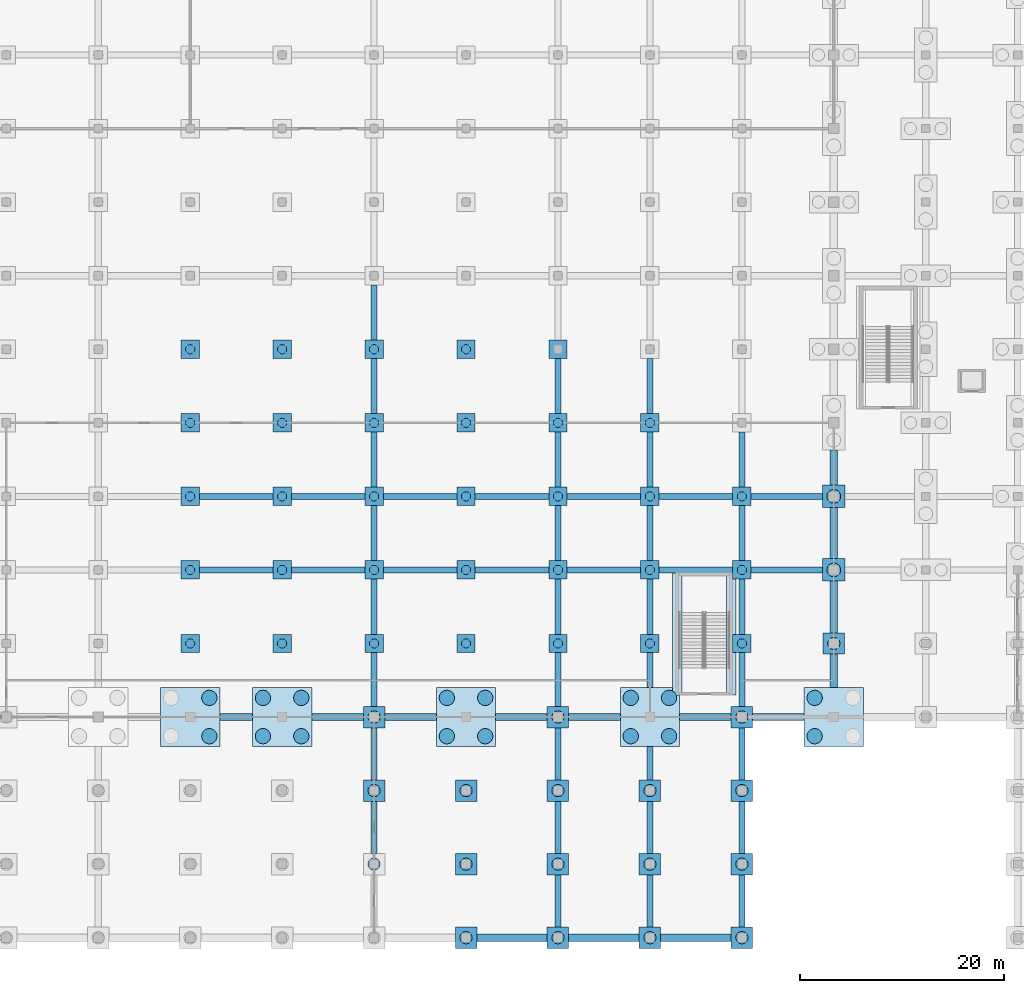
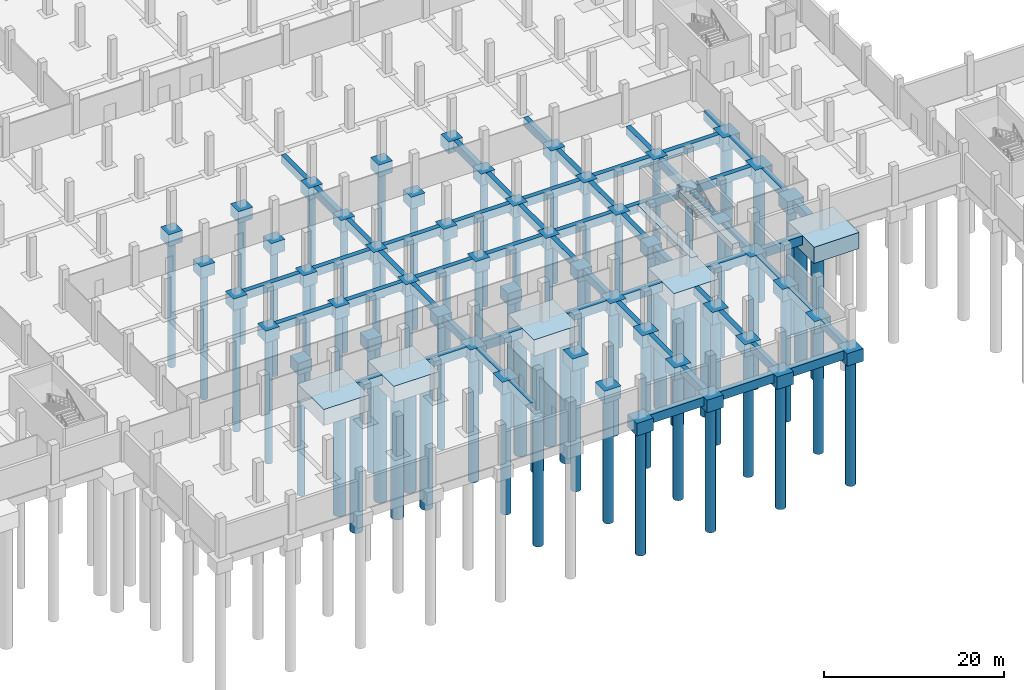
# One storey, part 2 of 39: 117 footings, 67 piles.
"""IFC4 building model written with IfcOpenShell, lengths in metres."""

from ifc_helpers import new_model, si_unit, direction, frame, origin, origin_2d, place, context, subcontext, project, spatial, rectangle, circle, extrude, material, material_profile, profile_set, type_object, element, save


model = new_model("IFC4")

# Units and contexts
model_context = context("Model", 3, precision=1e-05, world=origin(), true_north=direction((0.0, 1.0)))
body_context = subcontext(model_context, "Body", "Model", "MODEL_VIEW")
ifc_project = project(units=[si_unit("LENGTHUNIT", "METRE"), si_unit("AREAUNIT", "SQUARE_METRE"), si_unit("VOLUMEUNIT", "CUBIC_METRE"), si_unit("PLANEANGLEUNIT", "RADIAN"), si_unit("MASSUNIT", "GRAM", prefix="KILO")], contexts=[model_context])

# Site, building, storey
site_placement = place(None, origin())
site = spatial("IfcSite", under=ifc_project, at=site_placement, CompositionType="ELEMENT")
building_placement = place(site_placement, origin())
building = spatial("IfcBuilding", under=site, at=building_placement, Name="Celestram Park Convention Centre", CompositionType="ELEMENT")
storey_placement = place(building_placement, frame((0.0, 0.0, -5.39990234375)))
storey = spatial("IfcBuildingStorey", under=building, at=storey_placement, Name="B1", CompositionType="ELEMENT", Elevation=-5.39990234375)

# Footings
ifc_material_1 = material(Name="Concrete C40/50", Category="concrete")
footing_type_1 = type_object("IfcFootingType", Name="STR-CAP-PC1", PredefinedType="PILE_CAP", material=ifc_material_1)
for number, where, z_axis, x_axis, name in (
    (1, (63.0, 28.800048828125, -1.60009765625), (0.0, 0.0, 1.0), (1.0, 0.0, 0.0), "Caisson cap PC-01 at (63.0, 28.8)"),
    (2, (63.0, 36.0, -1.60009765625), (0.0, 0.0, 1.0), (1.0, 0.0, 0.0), "Caisson cap PC-01 at (63.0, 36.0)"),
    (3, (63.0, 43.199951171875, -1.60009765625), (0.0, 0.0, 1.0), (1.0, 0.0, 0.0), "Caisson cap PC-01 at (63.0, 43.2)"),
    (4, (63.0, 50.39990234375, -1.60009765625), (0.0, 0.0, 1.0), (1.0, 0.0, 0.0), "Caisson cap PC-01 at (63.0, 50.4)"),
    (5, (63.0, 57.60009765625, -1.60009765625), (0.0, 0.0, 1.0), (1.0, 0.0, 0.0), "Caisson cap PC-01 at (63.0, 57.6)"),
    (6, (72.0, 28.800048828125, -1.60009765625), (0.0, 0.0, 1.0), (1.0, 0.0, 0.0), "Caisson cap PC-01 at (72.0, 28.8)"),
    (7, (72.0, 36.0, -1.60009765625), (0.0, 0.0, 1.0), (1.0, 0.0, 0.0), "Caisson cap PC-01 at (72.0, 36.0)"),
    (8, (72.0, 43.199951171875, -1.60009765625), (0.0, 0.0, 1.0), (1.0, 0.0, 0.0), "Caisson cap PC-01 at (72.0, 43.2)"),
    (9, (72.0, 50.39990234375, -1.60009765625), (0.0, 0.0, 1.0), (1.0, 0.0, 0.0), "Caisson cap PC-01 at (72.0, 50.4)"),
    (10, (72.0, 57.60009765625, -1.60009765625), (0.0, 0.0, 1.0), (1.0, 0.0, 0.0), "Caisson cap PC-01 at (72.0, 57.6)"),
    (11, (81.0, 28.800048828125, -1.60009765625), (0.0, 0.0, 1.0), (1.0, 0.0, 0.0), "Caisson cap PC-01 at (81.0, 28.8)"),
    (12, (81.0, 36.0, -1.60009765625), (0.0, 0.0, 1.0), (1.0, 0.0, 0.0), "Caisson cap PC-01 at (81.0, 36.0)"),
    (13, (81.0, 43.199951171875, -1.60009765625), (0.0, 0.0, 1.0), (1.0, 0.0, 0.0), "Caisson cap PC-01 at (81.0, 43.2)"),
    (14, (81.0, 50.39990234375, -1.60009765625), (0.0, 0.0, 1.0), (1.0, 0.0, 0.0), "Caisson cap PC-01 at (81.0, 50.4)"),
    (15, (81.0, 57.60009765625, -1.60009765625), (0.0, 0.0, 1.0), (1.0, 0.0, 0.0), "Caisson cap PC-01 at (81.0, 57.6)"),
    (16, (90.0, 28.800048828125, -1.60009765625), (0.0, 0.0, 1.0), (1.0, 0.0, 0.0), "Caisson cap PC-01 at (90.0, 28.8)"),
    (17, (90.0, 36.0, -1.60009765625), (0.0, 0.0, 1.0), (1.0, 0.0, 0.0), "Caisson cap PC-01 at (90.0, 36.0)"),
    (18, (90.0, 43.199951171875, -1.60009765625), (0.0, 0.0, 1.0), (1.0, 0.0, 0.0), "Caisson cap PC-01 at (90.0, 43.2)"),
    (19, (90.0, 50.39990234375, -1.60009765625), (0.0, 0.0, 1.0), (1.0, 0.0, 0.0), "Caisson cap PC-01 at (90.0, 50.4)"),
    (20, (90.0, 57.60009765625, -1.60009765625), (0.0, 0.0, 1.0), (1.0, 0.0, 0.0), "Caisson cap PC-01 at (90.0, 57.6)"),
    (21, (99.0, 28.800048828125, -1.60009765625), (0.0, 0.0, 1.0), (1.0, 0.0, 0.0), "Caisson cap PC-01 at (99.0, 28.8)"),
    (22, (99.0, 36.0, -1.60009765625), (0.0, 0.0, 1.0), (1.0, 0.0, 0.0), "Caisson cap PC-01 at (99.0, 36.0)"),
    (23, (99.0, 43.199951171875, -1.60009765625), (0.0, 0.0, 1.0), (1.0, 0.0, 0.0), "Caisson cap PC-01 at (99.0, 43.2)"),
    (24, (99.0, 50.39990234375, -1.60009765625), (0.0, 0.0, 1.0), (1.0, 0.0, 0.0), "Caisson cap PC-01 at (99.0, 50.4)"),
    (25, (99.0, 57.60009765625, -1.60009765625), (0.0, 0.0, 1.0), (1.0, 0.0, 0.0), "Caisson cap PC-01 at (99.0, 57.6)"),
    (26, (108.0, 28.800048828125, -1.60009765625), (0.0, 0.0, 1.0), (1.0, 0.0, 0.0), "Caisson cap PC-01 at (108.0, 28.8)"),
    (27, (108.0, 36.0, -1.60009765625), (0.0, 0.0, 1.0), (1.0, 0.0, 0.0), "Caisson cap PC-01 at (108.0, 36.0)"),
    (28, (108.0, 43.199951171875, -1.60009765625), (0.0, 0.0, 1.0), (1.0, 0.0, 0.0), "Caisson cap PC-01 at (108.0, 43.2)"),
    (29, (108.0, 50.39990234375, -1.60009765625), (0.0, 0.0, 1.0), (1.0, 0.0, 0.0), "Caisson cap PC-01 at (108.0, 50.4)"),
    (30, (117.0, 28.800048828125, -1.60009765625), (0.0, 0.0, 1.0), (1.0, 0.0, 0.0), "Caisson cap PC-01 at (117.0, 28.8)"),
    (31, (117.0, 36.0, -1.60009765625), (0.0, 0.0, 1.0), (1.0, 0.0, 0.0), "Caisson cap PC-01 at (117.0, 36.0)"),
    (32, (117.0, 43.199951171875, -1.60009765625), (0.0, 0.0, 1.0), (1.0, 0.0, 0.0), "Caisson cap PC-01 at (117.0, 43.2)"),
):
    element("IfcFooting", number, at=place(storey_placement, frame(where, z_axis=z_axis, x_axis=x_axis)), inside=storey, type_object=footing_type_1, Name=name, PredefinedType="PILE_CAP", context=body_context, shape_type="SweptSolid", body=[
        extrude(rectangle(XDim=1.800048828125, YDim=1.800048828125, at=origin_2d()), origin(), (0.0, 0.0, 1.0), 1.60009765625),
    ])
footing_type_2 = type_object("IfcFootingType", Name="STR-CAP-PC2", PredefinedType="PILE_CAP", material=ifc_material_1)
for number, where, z_axis, x_axis, name in (
    (33, (81.0, 14.39990234375, -1.7001953125), (0.0, 0.0, 1.0), (1.0, 0.0, 0.0), "Caisson cap PC-02 at (81.0, 14.4)"),
    (34, (81.0, 21.60009765625, -1.7001953125), (0.0, 0.0, 1.0), (1.0, 0.0, 0.0), "Caisson cap PC-02 at (81.0, 21.6)"),
    (35, (90.0, 0.0, -1.7001953125), (0.0, 0.0, 1.0), (1.0, 0.0, 0.0), "Caisson cap PC-02 at (90.0, 0.0)"),
    (36, (90.0, 7.199951171875, -1.7001953125), (0.0, 0.0, 1.0), (1.0, 0.0, 0.0), "Caisson cap PC-02 at (90.0, 7.2)"),
    (37, (90.0, 14.39990234375, -1.7001953125), (0.0, 0.0, 1.0), (1.0, 0.0, 0.0), "Caisson cap PC-02 at (90.0, 14.4)"),
    (38, (99.0, 0.0, -1.7001953125), (0.0, 0.0, 1.0), (1.0, 0.0, 0.0), "Caisson cap PC-02 at (99.0, 0.0)"),
    (39, (99.0, 7.199951171875, -1.7001953125), (0.0, 0.0, 1.0), (1.0, 0.0, 0.0), "Caisson cap PC-02 at (99.0, 7.2)"),
    (40, (99.0, 14.39990234375, -1.7001953125), (0.0, 0.0, 1.0), (1.0, 0.0, 0.0), "Caisson cap PC-02 at (99.0, 14.4)"),
    (41, (99.0, 21.60009765625, -1.7001953125), (0.0, 0.0, 1.0), (1.0, 0.0, 0.0), "Caisson cap PC-02 at (99.0, 21.6)"),
    (42, (108.0, 0.0, -1.7001953125), (0.0, 0.0, 1.0), (1.0, 0.0, 0.0), "Caisson cap PC-02 at (108.0, 0.0)"),
    (43, (108.0, 7.199951171875, -1.7001953125), (0.0, 0.0, 1.0), (1.0, 0.0, 0.0), "Caisson cap PC-02 at (108.0, 7.2)"),
    (44, (108.0, 14.39990234375, -1.7001953125), (0.0, 0.0, 1.0), (1.0, 0.0, 0.0), "Caisson cap PC-02 at (108.0, 14.4)"),
    (45, (117.0, 0.0, -1.7001953125), (0.0, 0.0, 1.0), (1.0, 0.0, 0.0), "Caisson cap PC-02 at (117.0, 0.0)"),
    (46, (117.0, 7.199951171875, -1.7001953125), (0.0, 0.0, 1.0), (1.0, 0.0, 0.0), "Caisson cap PC-02 at (117.0, 7.2)"),
    (47, (117.0, 14.39990234375, -1.7001953125), (0.0, 0.0, 1.0), (1.0, 0.0, 0.0), "Caisson cap PC-02 at (117.0, 14.4)"),
    (48, (117.0, 21.60009765625, -1.7001953125), (0.0, 0.0, 1.0), (1.0, 0.0, 0.0), "Caisson cap PC-02 at (117.0, 21.6)"),
    (49, (126.0, 28.800048828125, -1.7001953125), (0.0, 0.0, 1.0), (1.0, 0.0, 0.0), "Caisson cap PC-02 at (126.0, 28.8)"),
):
    element("IfcFooting", number, at=place(storey_placement, frame(where, z_axis=z_axis, x_axis=x_axis)), inside=storey, type_object=footing_type_2, Name=name, PredefinedType="PILE_CAP", context=body_context, shape_type="SweptSolid", body=[
        extrude(rectangle(XDim=2.10009765625, YDim=2.10009765625, at=origin_2d()), origin(), (0.0, 0.0, 1.0), 1.699951171875),
    ])
footing_type_3 = type_object("IfcFootingType", Name="STR-CAP-PC3", PredefinedType="PILE_CAP", material=ifc_material_1)
for number, where, z_axis, x_axis, name in (
    (50, (126.0, 36.0, -1.80029296875), (0.0, 0.0, 1.0), (1.0, 0.0, 0.0), "Caisson cap PC-03 at (126.0, 36.0)"),
    (51, (126.0, 43.199951171875, -1.80029296875), (0.0, 0.0, 1.0), (1.0, 0.0, 0.0), "Caisson cap PC-03 at (126.0, 43.2)"),
):
    element("IfcFooting", number, at=place(storey_placement, frame(where, z_axis=z_axis, x_axis=x_axis)), inside=storey, type_object=footing_type_3, Name=name, PredefinedType="PILE_CAP", context=body_context, shape_type="SweptSolid", body=[
        extrude(rectangle(XDim=2.199951171875, YDim=2.199951171875, at=origin_2d()), origin(), (0.0, 0.0, 1.0), 1.800048828125),
    ])
footing_type_4 = type_object("IfcFootingType", Name="STR-CAP-PC8", PredefinedType="PILE_CAP", material=ifc_material_1)
for number, where, z_axis, x_axis, name in (
    (52, (63.0, 21.60009765625, -2.2001953125), (0.0, 0.0, 1.0), (1.0, 0.0, 0.0), "Caisson cap PC-08 at (63.0, 21.6)"),
    (53, (72.0, 21.60009765625, -2.2001953125), (0.0, 0.0, 1.0), (1.0, 0.0, 0.0), "Caisson cap PC-08 at (72.0, 21.6)"),
    (54, (90.0, 21.60009765625, -2.2001953125), (0.0, 0.0, 1.0), (1.0, 0.0, 0.0), "Caisson cap PC-08 at (90.0, 21.6)"),
    (55, (108.0, 21.60009765625, -2.2001953125), (0.0, 0.0, 1.0), (1.0, 0.0, 0.0), "Caisson cap PC-08 at (108.0, 21.6)"),
    (56, (126.0, 21.60009765625, -2.2001953125), (0.0, 0.0, 1.0), (1.0, 0.0, 0.0), "Caisson cap PC-08 at (126.0, 21.6)"),
):
    element("IfcFooting", number, at=place(storey_placement, frame(where, z_axis=z_axis, x_axis=x_axis)), inside=storey, type_object=footing_type_4, Name=name, PredefinedType="PILE_CAP", context=body_context, shape_type="SweptSolid", body=[
        extrude(rectangle(XDim=5.800048828125, YDim=5.800048828125, at=origin_2d()), origin(), (0.0, 0.0, 1.0), 2.199951171875),
    ])
ifc_material_2 = material(Name="Concrete C35/45", Category="concrete")
footing_type_5 = type_object("IfcFootingType", Name="STR-FTG-GB01", PredefinedType="FOOTING_BEAM", material=ifc_material_2)
for number, where, z_axis, x_axis, name in (
    (57, (77.425048828125, 21.60009765625, -1.2001953125), (0.0, 0.0, 1.0), (1.0, 0.0, 0.0), "Grade tie beam GB-B1-178"),
    (58, (84.574951171875, 21.60009765625, -1.2001953125), (0.0, 0.0, 1.0), (1.0, 0.0, 0.0), "Grade tie beam GB-B1-194"),
    (59, (95.425048828125, 21.60009765625, -1.2001953125), (0.0, 0.0, 1.0), (1.0, 0.0, 0.0), "Grade tie beam GB-B1-227"),
    (60, (102.574951171875, 21.60009765625, -1.2001953125), (0.0, 0.0, 1.0), (1.0, 0.0, 0.0), "Grade tie beam GB-B1-243"),
    (61, (113.425048828125, 21.60009765625, -1.2001953125), (0.0, 0.0, 1.0), (1.0, 0.0, 0.0), "Grade tie beam GB-B1-279"),
    (62, (120.574951171875, 21.60009765625, -1.2001953125), (0.0, 0.0, 1.0), (1.0, 0.0, 0.0), "Grade tie beam GB-B1-314"),
    (63, (126.0, 32.375, -1.2001953125), (0.0, 0.0, 1.0), (0.0, 1.0, 0.0), "Grade tie beam GB-B1-348"),
):
    element("IfcFooting", number, at=place(storey_placement, frame(where, z_axis=z_axis, x_axis=x_axis)), inside=storey, type_object=footing_type_5, Name=name, PredefinedType="FOOTING_BEAM", context=body_context, shape_type="SweptSolid", body=[
        extrude(rectangle(XDim=5.050048828125, YDim=0.699951171875, at=origin_2d()), origin(), (0.0, 0.0, 1.0), 1.199951171875),
    ])
footing_type_6 = type_object("IfcFootingType", Name="STR-FTG-GB02", PredefinedType="FOOTING_BEAM", material=ifc_material_2)
footing_1_placement = place(storey_placement, frame((126.0, 26.125, -1.2001953125), z_axis=(0.0, 0.0, 1.0), x_axis=(0.0, 1.0, 0.0)))
element("IfcFooting", 64, at=footing_1_placement, inside=storey, type_object=footing_type_6, Name="Grade tie beam GB-B1-347", PredefinedType="FOOTING_BEAM", context=body_context, shape_type="SweptSolid", body=[
    extrude(rectangle(XDim=3.25, YDim=0.699951171875, at=origin_2d()), origin(), (0.0, 0.0, 1.0), 1.199951171875),
])
footing_type_7 = type_object("IfcFootingType", Name="STR-FTG-GB06", PredefinedType="FOOTING_BEAM", material=ifc_material_2)
for number, where, z_axis, x_axis, name in (
    (65, (67.5, 36.0, -1.10009765625), (0.0, 0.0, 1.0), (1.0, 0.0, 0.0), "Grade tie beam GB-B1-166"),
    (66, (67.5, 43.199951171875, -1.10009765625), (0.0, 0.0, 1.0), (1.0, 0.0, 0.0), "Grade tie beam GB-B1-167"),
    (67, (76.5, 36.0, -1.10009765625), (0.0, 0.0, 1.0), (1.0, 0.0, 0.0), "Grade tie beam GB-B1-179"),
    (68, (76.5, 43.199951171875, -1.10009765625), (0.0, 0.0, 1.0), (1.0, 0.0, 0.0), "Grade tie beam GB-B1-180"),
    (69, (85.5, 36.0, -1.10009765625), (0.0, 0.0, 1.0), (1.0, 0.0, 0.0), "Grade tie beam GB-B1-197"),
    (70, (85.5, 43.199951171875, -1.10009765625), (0.0, 0.0, 1.0), (1.0, 0.0, 0.0), "Grade tie beam GB-B1-199"),
    (71, (94.5, 36.0, -1.10009765625), (0.0, 0.0, 1.0), (1.0, 0.0, 0.0), "Grade tie beam GB-B1-228"),
    (72, (94.5, 43.199951171875, -1.10009765625), (0.0, 0.0, 1.0), (1.0, 0.0, 0.0), "Grade tie beam GB-B1-229"),
    (73, (103.5, 36.0, -1.10009765625), (0.0, 0.0, 1.0), (1.0, 0.0, 0.0), "Grade tie beam GB-B1-246"),
    (74, (103.5, 43.199951171875, -1.10009765625), (0.0, 0.0, 1.0), (1.0, 0.0, 0.0), "Grade tie beam GB-B1-248"),
    (75, (112.5, 36.0, -1.10009765625), (0.0, 0.0, 1.0), (1.0, 0.0, 0.0), "Grade tie beam GB-B1-282"),
    (76, (112.5, 43.199951171875, -1.10009765625), (0.0, 0.0, 1.0), (1.0, 0.0, 0.0), "Grade tie beam GB-B1-284"),
):
    element("IfcFooting", number, at=place(storey_placement, frame(where, z_axis=z_axis, x_axis=x_axis)), inside=storey, type_object=footing_type_7, Name=name, PredefinedType="FOOTING_BEAM", context=body_context, shape_type="SweptSolid", body=[
        extrude(rectangle(XDim=7.199951171875, YDim=0.60009765625, at=origin_2d()), origin(), (0.0, 0.0, 1.0), 1.10009765625),
    ])
footing_type_8 = type_object("IfcFootingType", Name="STR-FTG-GB07", PredefinedType="FOOTING_BEAM", material=ifc_material_2)
for number, where, z_axis, x_axis, name in (
    (77, (81.0, 25.27490234375, -1.10009765625), (0.0, 0.0, 1.0), (0.0, 1.0, 0.0), "Grade tie beam GB-B1-195"),
    (78, (99.0, 25.27490234375, -1.10009765625), (0.0, 0.0, 1.0), (0.0, 1.0, 0.0), "Grade tie beam GB-B1-244"),
    (79, (117.0, 25.27490234375, -1.10009765625), (0.0, 0.0, 1.0), (0.0, 1.0, 0.0), "Grade tie beam GB-B1-315"),
):
    element("IfcFooting", number, at=place(storey_placement, frame(where, z_axis=z_axis, x_axis=x_axis)), inside=storey, type_object=footing_type_8, Name=name, PredefinedType="FOOTING_BEAM", context=body_context, shape_type="SweptSolid", body=[
        extrude(rectangle(XDim=5.25, YDim=0.60009765625, at=origin_2d()), origin(), (0.0, 0.0, 1.0), 1.10009765625),
    ])
footing_type_9 = type_object("IfcFootingType", Name="STR-FTG-GB08", PredefinedType="FOOTING_BEAM", material=ifc_material_2)
for number, where, z_axis, x_axis, name in (
    (80, (81.0, 32.39990234375, -1.10009765625), (0.0, 0.0, 1.0), (0.0, 1.0, 0.0), "Grade tie beam GB-B1-196"),
    (81, (81.0, 39.60009765625, -1.10009765625), (0.0, 0.0, 1.0), (0.0, 1.0, 0.0), "Grade tie beam GB-B1-198"),
    (82, (81.0, 46.800048828125, -1.10009765625), (0.0, 0.0, 1.0), (0.0, 1.0, 0.0), "Grade tie beam GB-B1-200"),
    (83, (81.0, 54.0, -1.10009765625), (0.0, 0.0, 1.0), (0.0, 1.0, 0.0), "Grade tie beam GB-B1-201"),
    (84, (81.0, 61.199951171875, -1.10009765625), (0.0, 0.0, 1.0), (0.0, 1.0, 0.0), "Grade tie beam GB-B1-202"),
    (85, (99.0, 32.39990234375, -1.10009765625), (0.0, 0.0, 1.0), (0.0, 1.0, 0.0), "Grade tie beam GB-B1-245"),
    (86, (99.0, 39.60009765625, -1.10009765625), (0.0, 0.0, 1.0), (0.0, 1.0, 0.0), "Grade tie beam GB-B1-247"),
    (87, (99.0, 46.800048828125, -1.10009765625), (0.0, 0.0, 1.0), (0.0, 1.0, 0.0), "Grade tie beam GB-B1-249"),
    (88, (99.0, 54.0, -1.10009765625), (0.0, 0.0, 1.0), (0.0, 1.0, 0.0), "Grade tie beam GB-B1-250"),
    (89, (108.0, 32.39990234375, -1.10009765625), (0.0, 0.0, 1.0), (0.0, 1.0, 0.0), "Grade tie beam GB-B1-281"),
    (90, (108.0, 39.60009765625, -1.10009765625), (0.0, 0.0, 1.0), (0.0, 1.0, 0.0), "Grade tie beam GB-B1-283"),
    (91, (108.0, 46.800048828125, -1.10009765625), (0.0, 0.0, 1.0), (0.0, 1.0, 0.0), "Grade tie beam GB-B1-285"),
    (92, (108.0, 54.0, -1.10009765625), (0.0, 0.0, 1.0), (0.0, 1.0, 0.0), "Grade tie beam GB-B1-286"),
    (93, (117.0, 32.39990234375, -1.10009765625), (0.0, 0.0, 1.0), (0.0, 1.0, 0.0), "Grade tie beam GB-B1-316"),
    (94, (117.0, 39.60009765625, -1.10009765625), (0.0, 0.0, 1.0), (0.0, 1.0, 0.0), "Grade tie beam GB-B1-318"),
    (95, (117.0, 46.800048828125, -1.10009765625), (0.0, 0.0, 1.0), (0.0, 1.0, 0.0), "Grade tie beam GB-B1-320"),
):
    element("IfcFooting", number, at=place(storey_placement, frame(where, z_axis=z_axis, x_axis=x_axis)), inside=storey, type_object=footing_type_9, Name=name, PredefinedType="FOOTING_BEAM", context=body_context, shape_type="SweptSolid", body=[
        extrude(rectangle(XDim=5.39990234375, YDim=0.60009765625, at=origin_2d()), origin(), (0.0, 0.0, 1.0), 1.10009765625),
    ])
footing_type_10 = type_object("IfcFootingType", Name="STR-FTG-GB09", PredefinedType="FOOTING_BEAM", material=ifc_material_2)
for number, where, z_axis, x_axis, name in (
    (96, (81.0, 10.800048828125, -1.10009765625), (0.0, 0.0, 1.0), (0.0, 1.0, 0.0), "Grade tie beam GB-B1-192"),
    (97, (81.0, 18.0, -1.10009765625), (0.0, 0.0, 1.0), (0.0, 1.0, 0.0), "Grade tie beam GB-B1-193"),
    (98, (99.0, 3.60009765625, -1.10009765625), (0.0, 0.0, 1.0), (0.0, 1.0, 0.0), "Grade tie beam GB-B1-240"),
    (99, (99.0, 10.800048828125, -1.10009765625), (0.0, 0.0, 1.0), (0.0, 1.0, 0.0), "Grade tie beam GB-B1-241"),
    (100, (99.0, 18.0, -1.10009765625), (0.0, 0.0, 1.0), (0.0, 1.0, 0.0), "Grade tie beam GB-B1-242"),
    (101, (108.0, 3.60009765625, -1.10009765625), (0.0, 0.0, 1.0), (0.0, 1.0, 0.0), "Grade tie beam GB-B1-276"),
    (102, (108.0, 10.800048828125, -1.10009765625), (0.0, 0.0, 1.0), (0.0, 1.0, 0.0), "Grade tie beam GB-B1-277"),
    (103, (117.0, 3.60009765625, -1.10009765625), (0.0, 0.0, 1.0), (0.0, 1.0, 0.0), "Grade tie beam GB-B1-311"),
    (104, (117.0, 10.800048828125, -1.10009765625), (0.0, 0.0, 1.0), (0.0, 1.0, 0.0), "Grade tie beam GB-B1-312"),
    (105, (117.0, 18.0, -1.10009765625), (0.0, 0.0, 1.0), (0.0, 1.0, 0.0), "Grade tie beam GB-B1-313"),
):
    element("IfcFooting", number, at=place(storey_placement, frame(where, z_axis=z_axis, x_axis=x_axis)), inside=storey, type_object=footing_type_10, Name=name, PredefinedType="FOOTING_BEAM", context=body_context, shape_type="SweptSolid", body=[
        extrude(rectangle(XDim=5.10009765625, YDim=0.60009765625, at=origin_2d()), origin(), (0.0, 0.0, 1.0), 1.10009765625),
    ])
footing_type_11 = type_object("IfcFootingType", Name="STR-FTG-GB12", PredefinedType="FOOTING_BEAM", material=ifc_material_2)
for number, where, z_axis, x_axis, name in (
    (106, (94.5, 0.0, -1.2001953125), (0.0, 0.0, 1.0), (1.0, 0.0, 0.0), "Grade tie beam GB-B1-226"),
    (107, (103.5, 0.0, -1.2001953125), (0.0, 0.0, 1.0), (1.0, 0.0, 0.0), "Grade tie beam GB-B1-239"),
    (108, (112.5, 0.0, -1.2001953125), (0.0, 0.0, 1.0), (1.0, 0.0, 0.0), "Grade tie beam GB-B1-275"),
):
    element("IfcFooting", number, at=place(storey_placement, frame(where, z_axis=z_axis, x_axis=x_axis)), inside=storey, type_object=footing_type_11, Name=name, PredefinedType="FOOTING_BEAM", context=body_context, shape_type="SweptSolid", body=[
        extrude(rectangle(XDim=6.89990234375, YDim=0.699951171875, at=origin_2d()), origin(), (0.0, 0.0, 1.0), 1.199951171875),
    ])
footing_type_12 = type_object("IfcFootingType", Name="STR-FTG-GB15", PredefinedType="FOOTING_BEAM", material=ifc_material_2)
footing_2_placement = place(storey_placement, frame((126.0, 46.02490234375, -1.2001953125), z_axis=(0.0, 0.0, 1.0), x_axis=(0.0, 1.0, 0.0)))
element("IfcFooting", 109, at=footing_2_placement, inside=storey, type_object=footing_type_12, Name="Grade tie beam GB-B1-352", PredefinedType="FOOTING_BEAM", context=body_context, shape_type="SweptSolid", body=[
    extrude(rectangle(XDim=3.449951171875, YDim=0.699951171875, at=origin_2d()), origin(), (0.0, 0.0, 1.0), 1.199951171875),
])
footing_type_13 = type_object("IfcFootingType", Name="STR-FTG-GB20", PredefinedType="FOOTING_BEAM", material=ifc_material_2)
footing_3_placement = place(storey_placement, frame((108.0, 17.074951171875, -1.10009765625), z_axis=(0.0, 0.0, 1.0), x_axis=(0.0, 1.0, 0.0)))
element("IfcFooting", 110, at=footing_3_placement, inside=storey, type_object=footing_type_13, Name="Grade tie beam GB-B1-278", PredefinedType="FOOTING_BEAM", context=body_context, shape_type="SweptSolid", body=[
    extrude(rectangle(XDim=3.25, YDim=0.60009765625, at=origin_2d()), origin(), (0.0, 0.0, 1.0), 1.10009765625),
])
footing_type_14 = type_object("IfcFootingType", Name="STR-FTG-GB21", PredefinedType="FOOTING_BEAM", material=ifc_material_2)
footing_4_placement = place(storey_placement, frame((67.5, 21.60009765625, -1.2001953125), z_axis=(0.0, 0.0, 1.0), x_axis=(1.0, 0.0, 0.0)))
element("IfcFooting", 111, at=footing_4_placement, inside=storey, type_object=footing_type_14, Name="Grade tie beam GB-B1-165", PredefinedType="FOOTING_BEAM", context=body_context, shape_type="SweptSolid", body=[
    extrude(rectangle(XDim=3.199951171875, YDim=0.699951171875, at=origin_2d()), origin(), (0.0, 0.0, 1.0), 1.199951171875),
])
footing_type_15 = type_object("IfcFootingType", Name="STR-FTG-GB22", PredefinedType="FOOTING_BEAM", material=ifc_material_2)
footing_5_placement = place(storey_placement, frame((108.0, 26.199951171875, -1.10009765625), z_axis=(0.0, 0.0, 1.0), x_axis=(0.0, 1.0, 0.0)))
element("IfcFooting", 112, at=footing_5_placement, inside=storey, type_object=footing_type_15, Name="Grade tie beam GB-B1-280", PredefinedType="FOOTING_BEAM", context=body_context, shape_type="SweptSolid", body=[
    extrude(rectangle(XDim=3.39990234375, YDim=0.60009765625, at=origin_2d()), origin(), (0.0, 0.0, 1.0), 1.10009765625),
])
footing_type_16 = type_object("IfcFootingType", Name="STR-FTG-GB35", PredefinedType="FOOTING_BEAM", material=ifc_material_2)
for number, where, z_axis, x_axis, name in (
    (113, (121.39990234375, 36.0, -1.10009765625), (0.0, 0.0, 1.0), (1.0, 0.0, 0.0), "Grade tie beam GB-B1-317"),
    (114, (121.39990234375, 43.199951171875, -1.10009765625), (0.0, 0.0, 1.0), (1.0, 0.0, 0.0), "Grade tie beam GB-B1-319"),
):
    element("IfcFooting", number, at=place(storey_placement, frame(where, z_axis=z_axis, x_axis=x_axis)), inside=storey, type_object=footing_type_16, Name=name, PredefinedType="FOOTING_BEAM", context=body_context, shape_type="SweptSolid", body=[
        extrude(rectangle(XDim=7.0, YDim=0.60009765625, at=origin_2d()), origin(), (0.0, 0.0, 1.0), 1.10009765625),
    ])
footing_type_17 = type_object("IfcFootingType", Name="STR-FTG-GB37", PredefinedType="FOOTING_BEAM", material=ifc_material_2)
footing_6_placement = place(storey_placement, frame((126.0, 39.60009765625, -1.2001953125), z_axis=(0.0, 0.0, 1.0), x_axis=(0.0, 1.0, 0.0)))
element("IfcFooting", 115, at=footing_6_placement, inside=storey, type_object=footing_type_17, Name="Grade tie beam GB-B1-350", PredefinedType="FOOTING_BEAM", context=body_context, shape_type="SweptSolid", body=[
    extrude(rectangle(XDim=5.0, YDim=0.699951171875, at=origin_2d()), origin(), (0.0, 0.0, 1.0), 1.199951171875),
])
footing_type_18 = type_object("IfcFootingType", Name="STR-FTG-SF50", PredefinedType="STRIP_FOOTING", material=ifc_material_2)
for number, where, z_axis, x_axis, name in (
    (116, (110.669921875, 29.7451171875, -0.75), (0.0, 0.0, 1.0), (0.0, 1.0, 0.0), "Core S18 strip footing"),
    (117, (115.969970703125, 29.7451171875, -0.75), (0.0, 0.0, 1.0), (0.0, 1.0, 0.0), "Core S18 strip footing"),
):
    element("IfcFooting", number, at=place(storey_placement, frame(where, z_axis=z_axis, x_axis=x_axis)), inside=storey, type_object=footing_type_18, Name=name, PredefinedType="STRIP_FOOTING", context=body_context, shape_type="SweptSolid", body=[
        extrude(rectangle(XDim=11.989990234375, YDim=0.89990234375, at=origin_2d()), origin(), (0.0, 0.0, 1.0), 0.75),
    ])

# Piles
ifc_material_profile_1 = material_profile(ifc_material_1, circle(Radius=0.60009765625, at=origin_2d()), Name="CAISSON1200")
ifc_profile_set_1 = profile_set([ifc_material_profile_1], Name="Concrete C40/50")
pile_type_1 = type_object("IfcPileType", Name="STR-PIL-C1200", PredefinedType="BORED", material=ifc_profile_set_1)
for number, where, z_axis, x_axis, name in (
    (118, (81.0, 7.199951171875, -1.60009765625), (0.0, 0.0, -1.0), (1.0, 0.0, 0.0), "Bored caisson PC-B1-344"),
    (119, (81.0, 14.39990234375, -1.60009765625), (0.0, 0.0, -1.0), (1.0, 0.0, 0.0), "Bored caisson PC-B1-345"),
    (120, (81.0, 21.60009765625, -1.60009765625), (0.0, 0.0, -1.0), (1.0, 0.0, 0.0), "Bored caisson PC-B1-346"),
    (121, (90.0, 0.0, -1.60009765625), (0.0, 0.0, -1.0), (1.0, 0.0, 0.0), "Bored caisson PC-B1-394"),
    (122, (90.0, 7.199951171875, -1.60009765625), (0.0, 0.0, -1.0), (1.0, 0.0, 0.0), "Bored caisson PC-B1-395"),
    (123, (90.0, 14.39990234375, -1.60009765625), (0.0, 0.0, -1.0), (1.0, 0.0, 0.0), "Bored caisson PC-B1-396"),
    (124, (99.0, 0.0, -1.60009765625), (0.0, 0.0, -1.0), (1.0, 0.0, 0.0), "Bored caisson PC-B1-448"),
    (125, (99.0, 7.199951171875, -1.60009765625), (0.0, 0.0, -1.0), (1.0, 0.0, 0.0), "Bored caisson PC-B1-449"),
    (126, (99.0, 14.39990234375, -1.60009765625), (0.0, 0.0, -1.0), (1.0, 0.0, 0.0), "Bored caisson PC-B1-450"),
    (127, (99.0, 21.60009765625, -1.60009765625), (0.0, 0.0, -1.0), (1.0, 0.0, 0.0), "Bored caisson PC-B1-451"),
    (128, (108.0, 0.0, -1.60009765625), (0.0, 0.0, -1.0), (1.0, 0.0, 0.0), "Bored caisson PC-B1-499"),
    (129, (108.0, 7.199951171875, -1.60009765625), (0.0, 0.0, -1.0), (1.0, 0.0, 0.0), "Bored caisson PC-B1-500"),
    (130, (108.0, 14.39990234375, -1.60009765625), (0.0, 0.0, -1.0), (1.0, 0.0, 0.0), "Bored caisson PC-B1-501"),
    (131, (117.0, 0.0, -1.60009765625), (0.0, 0.0, -1.0), (1.0, 0.0, 0.0), "Bored caisson PC-B1-541"),
    (132, (117.0, 7.199951171875, -1.60009765625), (0.0, 0.0, -1.0), (1.0, 0.0, 0.0), "Bored caisson PC-B1-542"),
    (133, (117.0, 14.39990234375, -1.60009765625), (0.0, 0.0, -1.0), (1.0, 0.0, 0.0), "Bored caisson PC-B1-543"),
    (134, (117.0, 21.60009765625, -1.60009765625), (0.0, 0.0, -1.0), (1.0, 0.0, 0.0), "Bored caisson PC-B1-544"),
    (135, (126.0, 28.800048828125, -1.60009765625), (0.0, 0.0, -1.0), (1.0, 0.0, 0.0), "Bored caisson PC-B1-584"),
):
    element("IfcPile", number, at=place(storey_placement, frame(where, z_axis=z_axis, x_axis=x_axis)), inside=storey, type_object=pile_type_1, Name=name, PredefinedType="BORED", context=body_context, shape_type="SweptSolid", body=[
        extrude(circle(Radius=0.60009765625, at=origin_2d()), origin(), (0.0, 0.0, 1.0), 17.0),
    ])
ifc_material_profile_2 = material_profile(ifc_material_1, circle(Radius=0.675048828125, at=origin_2d()), Name="CAISSON1350")
ifc_profile_set_2 = profile_set([ifc_material_profile_2], Name="Concrete C40/50")
pile_type_2 = type_object("IfcPileType", Name="STR-PIL-C1350", PredefinedType="BORED", material=ifc_profile_set_2)
for number, where, z_axis, x_axis, name in (
    (136, (126.0, 36.0, -1.7001953125), (0.0, 0.0, -1.0), (1.0, 0.0, 0.0), "Bored caisson PC-B1-585"),
    (137, (126.0, 43.199951171875, -1.7001953125), (0.0, 0.0, -1.0), (1.0, 0.0, 0.0), "Bored caisson PC-B1-586"),
):
    element("IfcPile", number, at=place(storey_placement, frame(where, z_axis=z_axis, x_axis=x_axis)), inside=storey, type_object=pile_type_2, Name=name, PredefinedType="BORED", context=body_context, shape_type="SweptSolid", body=[
        extrude(circle(Radius=0.675048828125, at=origin_2d()), origin(), (0.0, 0.0, 1.0), 16.89990234375),
    ])
ifc_material_profile_3 = material_profile(ifc_material_1, circle(Radius=0.75, at=origin_2d()), Name="CAISSON1500")
ifc_profile_set_3 = profile_set([ifc_material_profile_3], Name="Concrete C40/50")
pile_type_3 = type_object("IfcPileType", Name="STR-PIL-C1500", PredefinedType="BORED", material=ifc_profile_set_3)
for number, where, z_axis, x_axis, name in (
    (138, (64.875, 19.72509765625, -2.10009765625), (0.0, 0.0, -1.0), (1.0, 0.0, 0.0), "Bored caisson PC-B1-245"),
    (139, (64.875, 23.47509765625, -2.10009765625), (0.0, 0.0, -1.0), (1.0, 0.0, 0.0), "Bored caisson PC-B1-247"),
    (140, (70.125, 19.72509765625, -2.10009765625), (0.0, 0.0, -1.0), (1.0, 0.0, 0.0), "Bored caisson PC-B1-295"),
    (141, (73.875, 19.72509765625, -2.10009765625), (0.0, 0.0, -1.0), (1.0, 0.0, 0.0), "Bored caisson PC-B1-296"),
    (142, (70.125, 23.47509765625, -2.10009765625), (0.0, 0.0, -1.0), (1.0, 0.0, 0.0), "Bored caisson PC-B1-297"),
    (143, (73.875, 23.47509765625, -2.10009765625), (0.0, 0.0, -1.0), (1.0, 0.0, 0.0), "Bored caisson PC-B1-298"),
    (144, (88.125, 19.72509765625, -2.10009765625), (0.0, 0.0, -1.0), (1.0, 0.0, 0.0), "Bored caisson PC-B1-397"),
    (145, (91.875, 19.72509765625, -2.10009765625), (0.0, 0.0, -1.0), (1.0, 0.0, 0.0), "Bored caisson PC-B1-398"),
    (146, (88.125, 23.47509765625, -2.10009765625), (0.0, 0.0, -1.0), (1.0, 0.0, 0.0), "Bored caisson PC-B1-399"),
    (147, (91.875, 23.47509765625, -2.10009765625), (0.0, 0.0, -1.0), (1.0, 0.0, 0.0), "Bored caisson PC-B1-400"),
    (148, (106.125, 19.72509765625, -2.10009765625), (0.0, 0.0, -1.0), (1.0, 0.0, 0.0), "Bored caisson PC-B1-502"),
    (149, (109.875, 19.72509765625, -2.10009765625), (0.0, 0.0, -1.0), (1.0, 0.0, 0.0), "Bored caisson PC-B1-503"),
    (150, (106.125, 23.47509765625, -2.10009765625), (0.0, 0.0, -1.0), (1.0, 0.0, 0.0), "Bored caisson PC-B1-504"),
    (151, (109.875, 23.47509765625, -2.10009765625), (0.0, 0.0, -1.0), (1.0, 0.0, 0.0), "Bored caisson PC-B1-505"),
    (152, (124.125, 19.72509765625, -2.10009765625), (0.0, 0.0, -1.0), (1.0, 0.0, 0.0), "Bored caisson PC-B1-580"),
    (153, (124.125, 23.47509765625, -2.10009765625), (0.0, 0.0, -1.0), (1.0, 0.0, 0.0), "Bored caisson PC-B1-582"),
):
    element("IfcPile", number, at=place(storey_placement, frame(where, z_axis=z_axis, x_axis=x_axis)), inside=storey, type_object=pile_type_3, Name=name, PredefinedType="BORED", context=body_context, shape_type="SweptSolid", body=[
        extrude(circle(Radius=0.75, at=origin_2d()), origin(), (0.0, 0.0, 1.0), 16.5),
    ])
ifc_material_profile_4 = material_profile(ifc_material_1, circle(Radius=0.449951171875, at=origin_2d()), Name="CAISSON900")
ifc_profile_set_4 = profile_set([ifc_material_profile_4], Name="Concrete C40/50")
pile_type_4 = type_object("IfcPileType", Name="STR-PIL-C900", PredefinedType="BORED", material=ifc_profile_set_4)
for number, where, z_axis, x_axis, name in (
    (154, (63.0, 28.800048828125, -1.5), (0.0, 0.0, -1.0), (1.0, 0.0, 0.0), "Bored caisson PC-B1-248"),
    (155, (63.0, 36.0, -1.5), (0.0, 0.0, -1.0), (1.0, 0.0, 0.0), "Bored caisson PC-B1-249"),
    (156, (63.0, 43.199951171875, -1.5), (0.0, 0.0, -1.0), (1.0, 0.0, 0.0), "Bored caisson PC-B1-250"),
    (157, (63.0, 50.39990234375, -1.5), (0.0, 0.0, -1.0), (1.0, 0.0, 0.0), "Bored caisson PC-B1-251"),
    (158, (63.0, 57.60009765625, -1.5), (0.0, 0.0, -1.0), (1.0, 0.0, 0.0), "Bored caisson PC-B1-252"),
    (159, (72.0, 28.800048828125, -1.5), (0.0, 0.0, -1.0), (1.0, 0.0, 0.0), "Bored caisson PC-B1-299"),
    (160, (72.0, 36.0, -1.5), (0.0, 0.0, -1.0), (1.0, 0.0, 0.0), "Bored caisson PC-B1-300"),
    (161, (72.0, 43.199951171875, -1.5), (0.0, 0.0, -1.0), (1.0, 0.0, 0.0), "Bored caisson PC-B1-301"),
    (162, (72.0, 50.39990234375, -1.5), (0.0, 0.0, -1.0), (1.0, 0.0, 0.0), "Bored caisson PC-B1-302"),
    (163, (72.0, 57.60009765625, -1.5), (0.0, 0.0, -1.0), (1.0, 0.0, 0.0), "Bored caisson PC-B1-303"),
    (164, (81.0, 28.800048828125, -1.5), (0.0, 0.0, -1.0), (1.0, 0.0, 0.0), "Bored caisson PC-B1-347"),
    (165, (81.0, 36.0, -1.5), (0.0, 0.0, -1.0), (1.0, 0.0, 0.0), "Bored caisson PC-B1-348"),
    (166, (81.0, 43.199951171875, -1.5), (0.0, 0.0, -1.0), (1.0, 0.0, 0.0), "Bored caisson PC-B1-349"),
    (167, (81.0, 50.39990234375, -1.5), (0.0, 0.0, -1.0), (1.0, 0.0, 0.0), "Bored caisson PC-B1-350"),
    (168, (81.0, 57.60009765625, -1.5), (0.0, 0.0, -1.0), (1.0, 0.0, 0.0), "Bored caisson PC-B1-351"),
    (169, (90.0, 28.800048828125, -1.5), (0.0, 0.0, -1.0), (1.0, 0.0, 0.0), "Bored caisson PC-B1-401"),
    (170, (90.0, 36.0, -1.5), (0.0, 0.0, -1.0), (1.0, 0.0, 0.0), "Bored caisson PC-B1-402"),
    (171, (90.0, 43.199951171875, -1.5), (0.0, 0.0, -1.0), (1.0, 0.0, 0.0), "Bored caisson PC-B1-403"),
    (172, (90.0, 50.39990234375, -1.5), (0.0, 0.0, -1.0), (1.0, 0.0, 0.0), "Bored caisson PC-B1-404"),
    (173, (90.0, 57.60009765625, -1.5), (0.0, 0.0, -1.0), (1.0, 0.0, 0.0), "Bored caisson PC-B1-405"),
    (174, (99.0, 28.800048828125, -1.5), (0.0, 0.0, -1.0), (1.0, 0.0, 0.0), "Bored caisson PC-B1-452"),
    (175, (99.0, 36.0, -1.5), (0.0, 0.0, -1.0), (1.0, 0.0, 0.0), "Bored caisson PC-B1-453"),
    (176, (99.0, 43.199951171875, -1.5), (0.0, 0.0, -1.0), (1.0, 0.0, 0.0), "Bored caisson PC-B1-454"),
    (177, (99.0, 50.39990234375, -1.5), (0.0, 0.0, -1.0), (1.0, 0.0, 0.0), "Bored caisson PC-B1-455"),
    (178, (108.0, 28.800048828125, -1.5), (0.0, 0.0, -1.0), (1.0, 0.0, 0.0), "Bored caisson PC-B1-506"),
    (179, (108.0, 36.0, -1.5), (0.0, 0.0, -1.0), (1.0, 0.0, 0.0), "Bored caisson PC-B1-507"),
    (180, (108.0, 43.199951171875, -1.5), (0.0, 0.0, -1.0), (1.0, 0.0, 0.0), "Bored caisson PC-B1-508"),
    (181, (108.0, 50.39990234375, -1.5), (0.0, 0.0, -1.0), (1.0, 0.0, 0.0), "Bored caisson PC-B1-509"),
    (182, (117.0, 28.800048828125, -1.5), (0.0, 0.0, -1.0), (1.0, 0.0, 0.0), "Bored caisson PC-B1-545"),
    (183, (117.0, 36.0, -1.5), (0.0, 0.0, -1.0), (1.0, 0.0, 0.0), "Bored caisson PC-B1-546"),
    (184, (117.0, 43.199951171875, -1.5), (0.0, 0.0, -1.0), (1.0, 0.0, 0.0), "Bored caisson PC-B1-547"),
):
    element("IfcPile", number, at=place(storey_placement, frame(where, z_axis=z_axis, x_axis=x_axis)), inside=storey, type_object=pile_type_4, Name=name, PredefinedType="BORED", context=body_context, shape_type="SweptSolid", body=[
        extrude(circle(Radius=0.449951171875, at=origin_2d()), origin(), (0.0, 0.0, 1.0), 17.10009765625),
    ])

save(model, "model.ifc")
